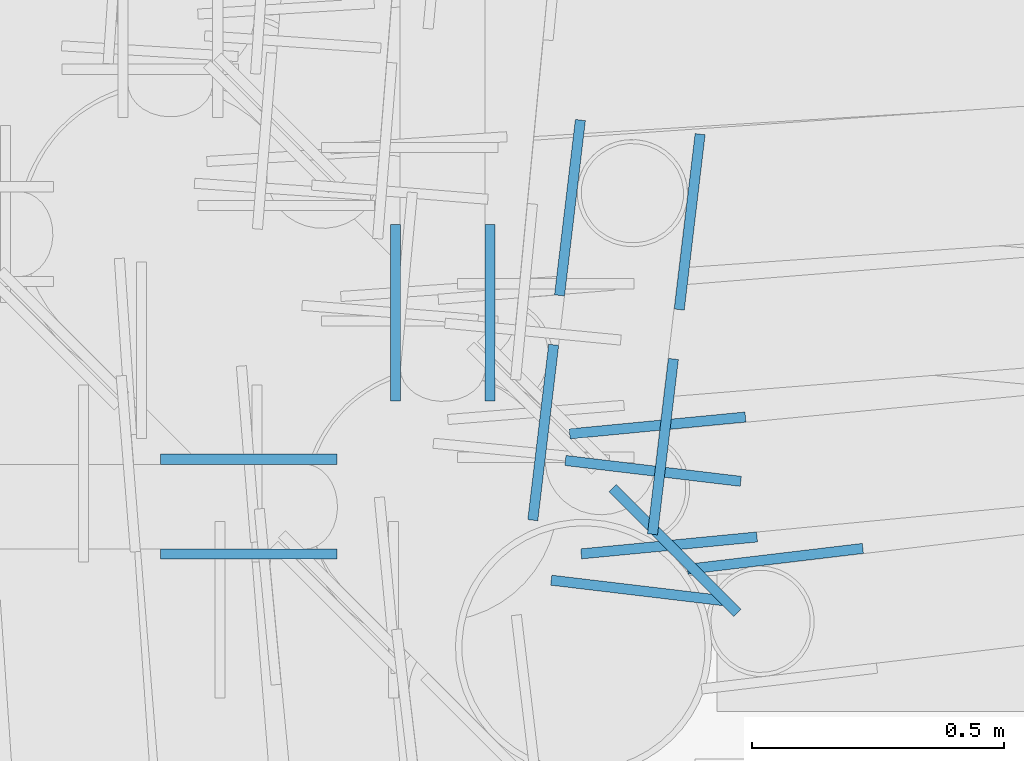
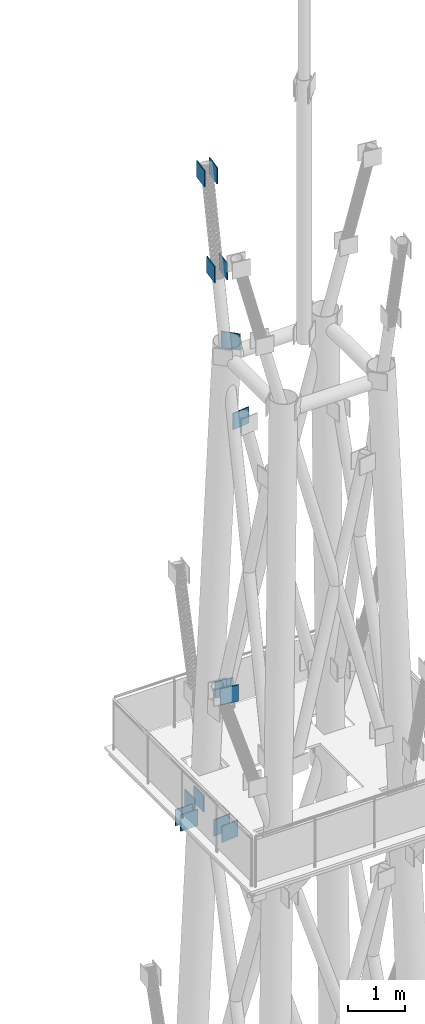
# One storey, part 16 of 25: 14 discrete accessories.
"""IFC4 building model written with IfcOpenShell, lengths in metres."""

from ifc_helpers import new_model, si_unit, direction, frame, origin, origin_2d, place, context, subcontext, project, spatial, rectangle, extrude, element, save


model = new_model("IFC4")

# Units and contexts
model_context = context("Model", 3, precision=1e-05, world=origin(), true_north=direction((0.0, 1.0)))
body_context = subcontext(model_context, "Body", "Model", "MODEL_VIEW")
ifc_project = project(units=[si_unit("LENGTHUNIT", "METRE"), si_unit("AREAUNIT", "SQUARE_METRE"), si_unit("VOLUMEUNIT", "CUBIC_METRE"), si_unit("PLANEANGLEUNIT", "RADIAN"), si_unit("MASSUNIT", "GRAM", prefix="KILO")], contexts=[model_context])

# Site, building, storey
site_placement = place(None, origin())
site = spatial("IfcSite", under=ifc_project, at=site_placement, CompositionType="ELEMENT")
building_placement = place(site_placement, origin())
building = spatial("IfcBuilding", under=site, at=building_placement, Name="Vidyagriha Tower", CompositionType="ELEMENT")
storey_placement = place(building_placement, frame((0.0, 0.0, 318.39990234375)))
storey = spatial("IfcBuildingStorey", under=building, at=storey_placement, Name="RF", CompositionType="ELEMENT", Elevation=318.39990234375)

# Discrete accessories
for number, where, z_axis, x_axis, name in (
    (1, (-0.8095703125, 14.182861328125, 49.9501953125), (0.0, 0.0, 1.0), (0.707106781187, -0.707106781187, 0.0), "End plate ASTM A572 Grade 50 20mm"),
    (2, (-0.8212890625, 14.193115234375, 39.424560546875), (0.0, 0.0, 1.0), (-0.995415248857, -0.095647699097, 0.0), "End plate ASTM A572 Grade 50 20mm"),
    (3, (-0.84423828125, 14.430908203125, 39.424560546875), (0.0, 0.0, 1.0), (-0.995415248857, -0.095647699097, 0.0), "End plate ASTM A572 Grade 50 20mm"),
    (4, (-0.611083984375, 14.16650390625, 48.227783203125), (0.0, 0.0, 1.0), (-0.99299585355, -0.118149205805, 0.0), "End plate ASTM A572 Grade 50 20mm"),
    (5, (-0.881103515625, 14.103515625, 42.42236328125), (0.0, 0.0, 1.0), (-0.99299977098, 0.118116276751, 0.0), "End plate ASTM A572 Grade 50 20mm"),
    (6, (-0.85302734375, 14.3408203125, 42.42236328125), (0.0, 0.0, 1.0), (-0.99299977098, 0.118116276751, 0.0), "End plate ASTM A572 Grade 50 20mm"),
    (7, (-0.83349609375, 14.388916015625, 51.42236328125), (0.0, 0.0, 1.0), (-0.118142273384, -0.992996678363, 0.0), "End plate ASTM A572 Grade 50 20mm"),
    (8, (-1.07080078125, 14.4169921875, 51.42236328125), (0.0, 0.0, 1.0), (-0.118142273384, -0.992996678363, 0.0), "End plate ASTM A572 Grade 50 20mm"),
    (9, (-1.017822265625, 14.862548828125, 53.189453125), (0.0, 0.0, 1.0), (0.118142273384, 0.992996678363, 0.0), "End plate ASTM A572 Grade 50 20mm"),
    (10, (-0.780517578125, 14.83447265625, 53.189453125), (0.0, 0.0, 1.0), (0.118142273384, 0.992996678363, 0.0), "End plate ASTM A572 Grade 50 20mm"),
):
    element("IfcDiscreteAccessory", number, at=place(storey_placement, frame(where, z_axis=z_axis, x_axis=x_axis)), inside=storey, Name=name, ObjectType="END PLATE", PredefinedType="USERDEFINED", context=body_context, shape_type="SweptSolid", body=[
        extrude(rectangle(XDim=0.35009765625, YDim=0.02001953125, at=origin_2d()), origin(), (0.0, 0.0, 1.0), 0.35009765625),
    ])
for number, where, name in (
    (11, (-1.654296875, 14.364013671875, 39.9609375), "End plate ASTM A572 Grade 50 20mm"),
    (12, (-1.654296875, 14.176025390625, 39.9609375), "End plate ASTM A572 Grade 50 20mm"),
):
    element("IfcDiscreteAccessory", number, at=place(storey_placement, frame(where)), inside=storey, Name=name, ObjectType="END PLATE", PredefinedType="USERDEFINED", context=body_context, shape_type="SweptSolid", body=[
        extrude(rectangle(XDim=0.35009765625, YDim=0.02001953125, at=origin_2d()), origin(), (0.0, 0.0, 1.0), 0.35009765625),
    ])
for number, where, z_axis, x_axis, name in (
    (13, (-1.176025390625, 14.654296875, 39.9609375), (0.0, 0.0, 1.0), (0.0, -1.0, 0.0), "End plate ASTM A572 Grade 50 20mm"),
    (14, (-1.364013671875, 14.654296875, 39.9609375), (0.0, 0.0, 1.0), (0.0, -1.0, 0.0), "End plate ASTM A572 Grade 50 20mm"),
):
    element("IfcDiscreteAccessory", number, at=place(storey_placement, frame(where, z_axis=z_axis, x_axis=x_axis)), inside=storey, Name=name, ObjectType="END PLATE", PredefinedType="USERDEFINED", context=body_context, shape_type="SweptSolid", body=[
        extrude(rectangle(XDim=0.35009765625, YDim=0.02001953125, at=origin_2d()), origin(), (0.0, 0.0, 1.0), 0.35009765625),
    ])

save(model, "model.ifc")
